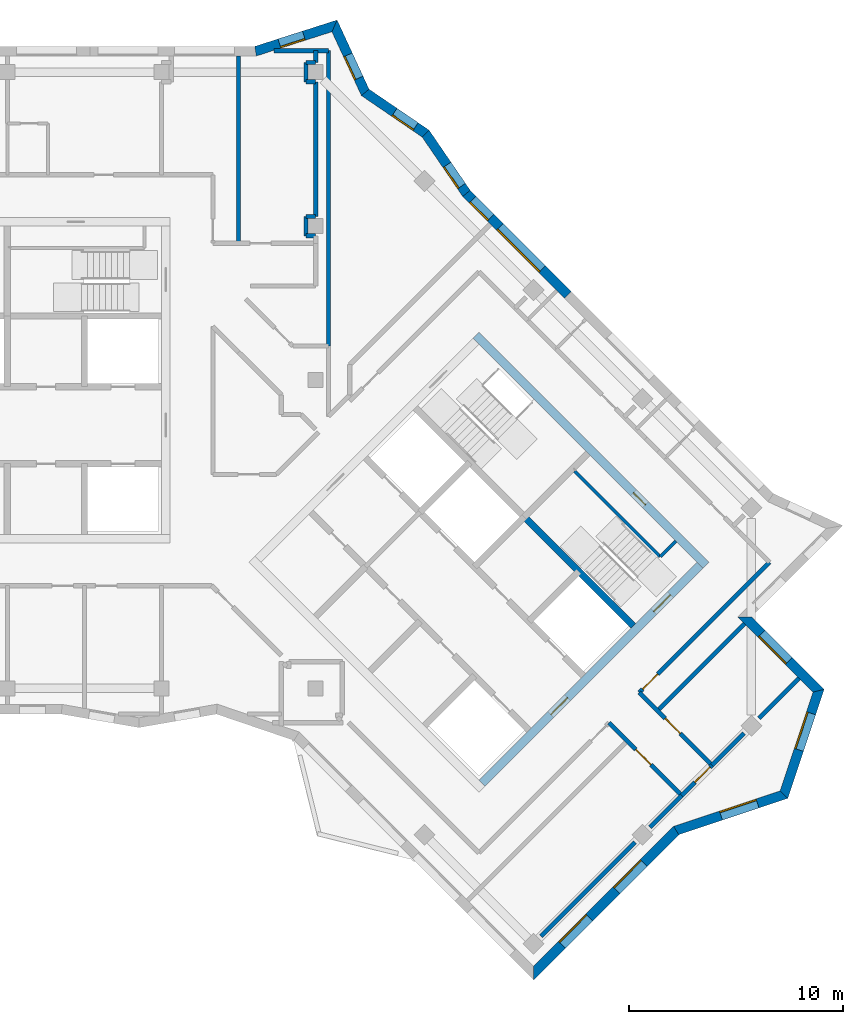
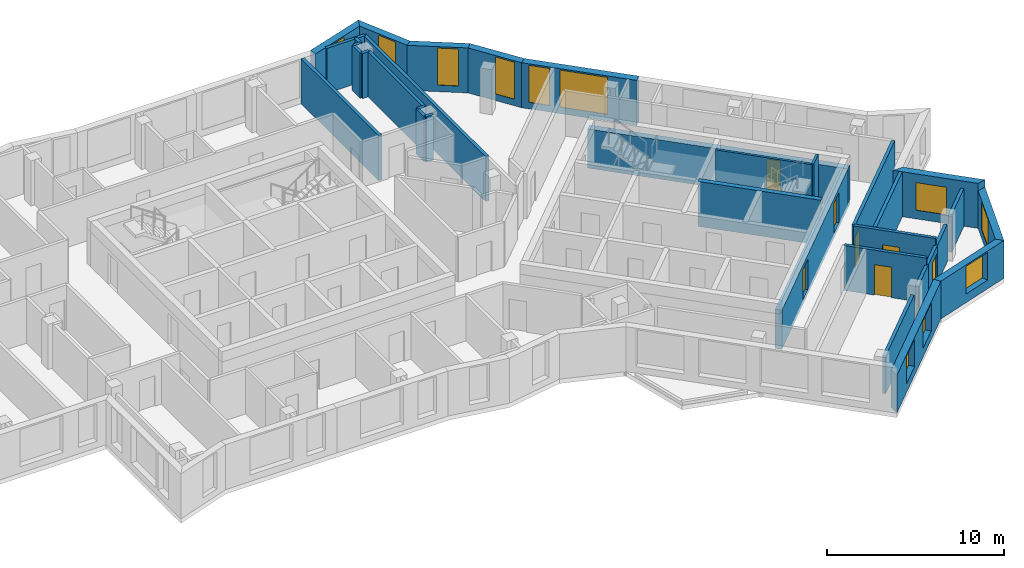
# One storey, part 7 of 11: 34 walls, 11 windows, 7 doors, 18 openings.
"""IFC4 building model written with IfcOpenShell, lengths in metres."""

from ifc_helpers import new_model, si_unit, direction, frame, frame_2d, origin, place, context, subcontext, project, spatial, polyline, rectangle, outline, extrude, material, layer, layer_set, type_object, element, fill, save


model = new_model("IFC4")

# Units and contexts
model_context = context("Model", 3, precision=1e-05, world=origin(), true_north=direction((0.0, 1.0)))
body_context = subcontext(model_context, "Body", "Model", "MODEL_VIEW")
ifc_project = project(units=[si_unit("LENGTHUNIT", "METRE"), si_unit("AREAUNIT", "SQUARE_METRE"), si_unit("VOLUMEUNIT", "CUBIC_METRE"), si_unit("PLANEANGLEUNIT", "RADIAN"), si_unit("MASSUNIT", "GRAM", prefix="KILO")], contexts=[model_context])

# Site, building, storey
site_placement = place(None, origin())
site = spatial("IfcSite", under=ifc_project, at=site_placement, CompositionType="ELEMENT")
building_placement = place(site_placement, origin())
building = spatial("IfcBuilding", under=site, at=building_placement, Name="Windrow Commons", CompositionType="ELEMENT")
storey_placement = place(building_placement, frame((0.0, 0.0, 281.2)))
storey = spatial("IfcBuildingStorey", under=building, at=storey_placement, Name="L77", CompositionType="ELEMENT", Elevation=281.2)

# Wall, openings, windows
ifc_material_1 = material(Name="Brick masonry, red clay brick", Category="masonry")
ifc_layer_1 = layer(ifc_material_1, 0.45)
ifc_layer_set_1 = layer_set([ifc_layer_1], Name="Brick facade wall 450")
wall_type_1 = type_object("IfcWallType", Name="Brick facade wall 450", PredefinedType="SOLIDWALL", material=ifc_layer_set_1)
wall_1_placement = place(storey_placement, frame((89.3823, 29.8918, 0.0), z_axis=(0.0, 0.0, 1.0), x_axis=(0.7071067812, 0.7071067812, 0.0)))
wall_1 = element("IfcWall", 1, at=wall_1_placement, inside=storey, type_object=wall_type_1, Name="Brick facade wall L77 1", PredefinedType="SOLIDWALL", context=body_context, shape_type="SweptSolid", body=[
    extrude(outline(polyline([(-0.225, -0.225), (9.375, -0.225), (9.4812, 0.225), (0.225, 0.225), (-0.225, -0.225)])), origin(), (0.0, 0.0, 1.0), 2.6),
])
opening_1_placement = place(wall_1_placement, frame((1.875, 0.0, 0.6)))
opening_1 = element("IfcOpeningElement", 2, at=opening_1_placement, cuts=wall_1, Name="Opening W1L", PredefinedType="OPENING", context=body_context, shape_type="SweptSolid", body=[
    extrude(rectangle(XDim=1.8, YDim=1.9, at=frame_2d((0.9, 0.95))), frame((0.0, 0.235, 0.0), z_axis=(0.0, -1.0, 0.0), x_axis=(1.0, 0.0, 0.0)), (0.0, 0.0, 1.0), 0.47),
])
opening_2_placement = place(wall_1_placement, frame((5.475, 0.0, 0.6)))
opening_2 = element("IfcOpeningElement", 3, at=opening_2_placement, cuts=wall_1, Name="Opening W1L", PredefinedType="OPENING", context=body_context, shape_type="SweptSolid", body=[
    extrude(rectangle(XDim=1.8, YDim=1.9, at=frame_2d((0.9, 0.95))), frame((0.0, 0.235, 0.0), z_axis=(0.0, -1.0, 0.0), x_axis=(1.0, 0.0, 0.0)), (0.0, 0.0, 1.0), 0.47),
])
ifc_material_2 = material(Name="Clear float glass in anodised aluminium frame", Category="aluminium")
window_type_1 = type_object("IfcWindowType", Name="Window W1L bedroom 1800x1900", PartitioningType="SINGLE_PANEL", PredefinedType="WINDOW", material=ifc_material_2)
window_1_placement = place(opening_1_placement, origin())
window_1 = element("IfcWindow", 4, at=window_1_placement, inside=storey, type_object=window_type_1, Name="Window L77 1.1", OverallHeight=1.9, OverallWidth=1.8, PartitioningType="SINGLE_PANEL", PredefinedType="WINDOW", context=body_context, shape_type="SweptSolid", body=[
    extrude(rectangle(XDim=1.8, YDim=1.9, at=frame_2d((0.9, 0.95))), frame((0.0, 0.205, 0.0), z_axis=(0.0, -1.0, 0.0), x_axis=(1.0, 0.0, 0.0)), (0.0, 0.0, 1.0), 0.06),
])
fill(opening_1, window_1)
window_2_placement = place(opening_2_placement, origin())
window_2 = element("IfcWindow", 5, at=window_2_placement, inside=storey, type_object=window_type_1, Name="Window L77 1.2", OverallHeight=1.9, OverallWidth=1.8, PartitioningType="SINGLE_PANEL", PredefinedType="WINDOW", context=body_context, shape_type="SweptSolid", body=[
    extrude(rectangle(XDim=1.8, YDim=1.9, at=frame_2d((0.9, 0.95))), frame((0.0, 0.205, 0.0), z_axis=(0.0, -1.0, 0.0), x_axis=(1.0, 0.0, 0.0)), (0.0, 0.0, 1.0), 0.06),
])
fill(opening_2, window_2)

# Wall, opening, window
wall_2_placement = place(storey_placement, frame((96.049, 36.5585, 0.0), z_axis=(0.0, 0.0, 1.0), x_axis=(0.9486870665, 0.3162164604, 0.0)))
wall_2 = element("IfcWall", 6, at=wall_2_placement, inside=storey, type_object=wall_type_1, Name="Brick facade wall L77 2", PredefinedType="SOLIDWALL", context=body_context, shape_type="SweptSolid", body=[
    extrude(outline(polyline([(0.0531, -0.225), (5.4197, -0.225), (5.1947, 0.225), (-0.0531, 0.225), (0.0531, -0.225)])), origin(), (0.0, 0.0, 1.0), 2.6),
])
opening_3_placement = place(wall_2_placement, frame((2.204, 0.0, 0.6)))
opening_3 = element("IfcOpeningElement", 7, at=opening_3_placement, cuts=wall_2, Name="Opening W1L", PredefinedType="OPENING", context=body_context, shape_type="SweptSolid", body=[
    extrude(rectangle(XDim=1.8, YDim=1.9, at=frame_2d((0.9, 0.95))), frame((0.0, 0.235, 0.0), z_axis=(0.0, -1.0, 0.0), x_axis=(1.0, 0.0, 0.0)), (0.0, 0.0, 1.0), 0.47),
])
window_3_placement = place(opening_3_placement, origin())
window_3 = element("IfcWindow", 8, at=window_3_placement, inside=storey, type_object=window_type_1, Name="Window L77 2.1", OverallHeight=1.9, OverallWidth=1.8, PartitioningType="SINGLE_PANEL", PredefinedType="WINDOW", context=body_context, shape_type="SweptSolid", body=[
    extrude(rectangle(XDim=1.8, YDim=1.9, at=frame_2d((0.9, 0.95))), frame((0.0, 0.205, 0.0), z_axis=(0.0, -1.0, 0.0), x_axis=(1.0, 0.0, 0.0)), (0.0, 0.0, 1.0), 0.06),
])
fill(opening_3, window_3)

wall_3_placement = place(storey_placement, frame((101.0838, 38.2367, 0.0), z_axis=(0.0, 0.0, 1.0), x_axis=(0.3162453612, 0.9486774328, 0.0)))
wall_3 = element("IfcWall", 9, at=wall_3_placement, inside=storey, type_object=wall_type_1, Name="Brick facade wall L77 3", PredefinedType="SOLIDWALL", context=body_context, shape_type="SweptSolid", body=[
    extrude(outline(polyline([(-0.1125, -0.225), (5.2541, -0.225), (4.976, 0.225), (0.1125, 0.225), (-0.1125, -0.225)])), origin(), (0.0, 0.0, 1.0), 2.6),
])
opening_4_placement = place(wall_3_placement, frame((2.2065, 0.0, 0.6)))
opening_4 = element("IfcOpeningElement", 10, at=opening_4_placement, cuts=wall_3, Name="Opening W1L", PredefinedType="OPENING", context=body_context, shape_type="SweptSolid", body=[
    extrude(rectangle(XDim=1.8, YDim=1.9, at=frame_2d((0.9, 0.95))), frame((0.0, 0.235, 0.0), z_axis=(0.0, -1.0, 0.0), x_axis=(1.0, 0.0, 0.0)), (0.0, 0.0, 1.0), 0.47),
])
window_4_placement = place(opening_4_placement, origin())
window_4 = element("IfcWindow", 11, at=window_4_placement, inside=storey, type_object=window_type_1, Name="Window L77 3.1", OverallHeight=1.9, OverallWidth=1.8, PartitioningType="SINGLE_PANEL", PredefinedType="WINDOW", context=body_context, shape_type="SweptSolid", body=[
    extrude(rectangle(XDim=1.8, YDim=1.9, at=frame_2d((0.9, 0.95))), frame((0.0, 0.205, 0.0), z_axis=(0.0, -1.0, 0.0), x_axis=(1.0, 0.0, 0.0)), (0.0, 0.0, 1.0), 0.06),
])
fill(opening_4, window_4)

wall_4_placement = place(storey_placement, frame((102.7014, 43.0892, 0.0), z_axis=(0.0, 0.0, 1.0), x_axis=(-0.7070965479, 0.7071170144, 0.0)))
wall_4 = element("IfcWall", 12, at=wall_4_placement, inside=storey, type_object=wall_type_1, Name="Brick facade wall L77 4", PredefinedType="SOLIDWALL", context=body_context, shape_type="SweptSolid", body=[
    extrude(outline(polyline([(-0.1391, -0.225), (4.661, -0.225), (5.111, 0.225), (0.1391, 0.225), (-0.1391, -0.225)])), origin(), (0.0, 0.0, 1.0), 3.1),
])
opening_5_placement = place(wall_4_placement, frame((1.9735, 0.0, 0.6)))
opening_5 = element("IfcOpeningElement", 13, at=opening_5_placement, cuts=wall_4, Name="Opening W1L", PredefinedType="OPENING", context=body_context, shape_type="SweptSolid", body=[
    extrude(rectangle(XDim=1.8, YDim=1.9, at=frame_2d((0.9, 0.95))), frame((0.0, 0.235, 0.0), z_axis=(0.0, -1.0, 0.0), x_axis=(1.0, 0.0, 0.0)), (0.0, 0.0, 1.0), 0.47),
])
window_5_placement = place(opening_5_placement, origin())
window_5 = element("IfcWindow", 14, at=window_5_placement, inside=storey, type_object=window_type_1, Name="Window L77 4.1", OverallHeight=1.9, OverallWidth=1.8, PartitioningType="SINGLE_PANEL", PredefinedType="WINDOW", context=body_context, shape_type="SweptSolid", body=[
    extrude(rectangle(XDim=1.8, YDim=1.9, at=frame_2d((0.9, 0.95))), frame((0.0, 0.205, 0.0), z_axis=(0.0, -1.0, 0.0), x_axis=(1.0, 0.0, 0.0)), (0.0, 0.0, 1.0), 0.06),
])
fill(opening_5, window_5)

# Wall, openings, windows
wall_5_placement = place(storey_placement, frame((90.9872, 61.5917, 0.0), z_axis=(0.0, 0.0, 1.0), x_axis=(-0.7071067812, 0.7071067812, 0.0)))
wall_5 = element("IfcWall", 15, at=wall_5_placement, inside=storey, type_object=wall_type_1, Name="Brick facade wall L77 9", PredefinedType="SOLIDWALL", context=body_context, shape_type="SweptSolid", body=[
    extrude(outline(polyline([(0.0, -0.225), (6.6821, -0.225), (6.7242, 0.225), (0.0, 0.225), (0.0, -0.225)])), origin(), (0.0, 0.0, 1.0), 3.1),
])
opening_6_placement = place(wall_5_placement, frame((1.6946, 0.0, 0.45)))
opening_6 = element("IfcOpeningElement", 16, at=opening_6_placement, cuts=wall_5, Name="Opening W1V", PredefinedType="OPENING", context=body_context, shape_type="SweptSolid", body=[
    extrude(rectangle(XDim=2.8, YDim=2.55, at=frame_2d((1.4, 1.275))), frame((0.0, 0.235, 0.0), z_axis=(0.0, -1.0, 0.0), x_axis=(1.0, 0.0, 0.0)), (0.0, 0.0, 1.0), 0.47),
])
opening_7_placement = place(wall_5_placement, frame((5.0989, 0.0, 0.45)))
opening_7 = element("IfcOpeningElement", 17, at=opening_7_placement, cuts=wall_5, Name="Opening W7F", PredefinedType="OPENING", context=body_context, shape_type="SweptSolid", body=[
    extrude(rectangle(XDim=1.2, YDim=2.55, at=frame_2d((0.6, 1.275))), frame((0.0, 0.235, 0.0), z_axis=(0.0, -1.0, 0.0), x_axis=(1.0, 0.0, 0.0)), (0.0, 0.0, 1.0), 0.47),
])
ifc_material_3 = material(Name="Clear float glass in anodised aluminium frame", Category="aluminium")
window_type_2 = type_object("IfcWindowType", Name="Window W1V bedroom 2800x2550", PartitioningType="SINGLE_PANEL", PredefinedType="WINDOW", material=ifc_material_3)
window_6_placement = place(opening_6_placement, origin())
window_6 = element("IfcWindow", 18, at=window_6_placement, inside=storey, type_object=window_type_2, Name="Window L77 9.1", OverallHeight=2.55, OverallWidth=2.8, PartitioningType="SINGLE_PANEL", PredefinedType="WINDOW", context=body_context, shape_type="SweptSolid", body=[
    extrude(rectangle(XDim=2.8, YDim=2.55, at=frame_2d((1.4, 1.275))), frame((0.0, 0.205, 0.0), z_axis=(0.0, -1.0, 0.0), x_axis=(1.0, 0.0, 0.0)), (0.0, 0.0, 1.0), 0.06),
])
fill(opening_6, window_6)
ifc_material_4 = material(Name="Clear float glass in anodised aluminium frame", Category="aluminium")
window_type_3 = type_object("IfcWindowType", Name="Window W7 notch 1200x2550", PartitioningType="SINGLE_PANEL", PredefinedType="WINDOW", material=ifc_material_4)
window_7_placement = place(opening_7_placement, origin())
window_7 = element("IfcWindow", 19, at=window_7_placement, inside=storey, type_object=window_type_3, Name="Window L77 9.2", OverallHeight=2.55, OverallWidth=1.2, PartitioningType="SINGLE_PANEL", PredefinedType="WINDOW", context=body_context, shape_type="SweptSolid", body=[
    extrude(rectangle(XDim=1.2, YDim=2.55, at=frame_2d((0.6, 1.275))), frame((0.0, 0.205, 0.0), z_axis=(0.0, -1.0, 0.0), x_axis=(1.0, 0.0, 0.0)), (0.0, 0.0, 1.0), 0.06),
])
fill(opening_7, window_7)

# Wall, opening, window
wall_6_placement = place(storey_placement, frame((86.2474, 66.3315, 0.0), z_axis=(0.0, 0.0, 1.0), x_axis=(-0.5638464417, 0.8258796463, 0.0)))
wall_6 = element("IfcWall", 20, at=wall_6_placement, inside=storey, type_object=wall_type_1, Name="Brick facade wall L77 10", PredefinedType="SOLIDWALL", context=body_context, shape_type="SweptSolid", body=[
    extrude(outline(polyline([(0.021, -0.225), (3.421, -0.225), (3.3361, 0.225), (-0.021, 0.225), (0.021, -0.225)])), origin(), (0.0, 0.0, 1.0), 3.1),
])
opening_8_placement = place(wall_6_placement, frame((0.4115, 0.0, 0.45)))
opening_8 = element("IfcOpeningElement", 21, at=opening_8_placement, cuts=wall_6, Name="Opening W7F", PredefinedType="OPENING", context=body_context, shape_type="SweptSolid", body=[
    extrude(rectangle(XDim=1.2, YDim=2.55, at=frame_2d((0.6, 1.275))), frame((0.0, 0.235, 0.0), z_axis=(0.0, -1.0, 0.0), x_axis=(1.0, 0.0, 0.0)), (0.0, 0.0, 1.0), 0.47),
])
window_8_placement = place(opening_8_placement, origin())
window_8 = element("IfcWindow", 22, at=window_8_placement, inside=storey, type_object=window_type_3, Name="Window L77 10.1", OverallHeight=2.55, OverallWidth=1.2, PartitioningType="SINGLE_PANEL", PredefinedType="WINDOW", context=body_context, shape_type="SweptSolid", body=[
    extrude(rectangle(XDim=1.2, YDim=2.55, at=frame_2d((0.6, 1.275))), frame((0.0, 0.205, 0.0), z_axis=(0.0, -1.0, 0.0), x_axis=(1.0, 0.0, 0.0)), (0.0, 0.0, 1.0), 0.06),
])
fill(opening_8, window_8)

wall_7_placement = place(storey_placement, frame((84.3424, 69.1218, 0.0), z_axis=(0.0, 0.0, 1.0), x_axis=(-0.8258813563, 0.563843937, 0.0)))
wall_7 = element("IfcWall", 23, at=wall_7_placement, inside=storey, type_object=wall_type_1, Name="Brick facade wall L77 11", PredefinedType="SOLIDWALL", context=body_context, shape_type="SweptSolid", body=[
    extrude(outline(polyline([(-0.0424, -0.225), (3.3575, -0.225), (3.4819, 0.225), (0.0424, 0.225), (-0.0424, -0.225)])), origin(), (0.0, 0.0, 1.0), 3.1),
])
opening_9_placement = place(wall_7_placement, frame((0.5752, 0.0, 0.45)))
opening_9 = element("IfcOpeningElement", 24, at=opening_9_placement, cuts=wall_7, Name="Opening W7F", PredefinedType="OPENING", context=body_context, shape_type="SweptSolid", body=[
    extrude(rectangle(XDim=1.2, YDim=2.55, at=frame_2d((0.6, 1.275))), frame((0.0, 0.235, 0.0), z_axis=(0.0, -1.0, 0.0), x_axis=(1.0, 0.0, 0.0)), (0.0, 0.0, 1.0), 0.47),
])
window_9_placement = place(opening_9_placement, origin())
window_9 = element("IfcWindow", 25, at=window_9_placement, inside=storey, type_object=window_type_3, Name="Window L77 11.1", OverallHeight=2.55, OverallWidth=1.2, PartitioningType="SINGLE_PANEL", PredefinedType="WINDOW", context=body_context, shape_type="SweptSolid", body=[
    extrude(rectangle(XDim=1.2, YDim=2.55, at=frame_2d((0.6, 1.275))), frame((0.0, 0.205, 0.0), z_axis=(0.0, -1.0, 0.0), x_axis=(1.0, 0.0, 0.0)), (0.0, 0.0, 1.0), 0.06),
])
fill(opening_9, window_9)

wall_8_placement = place(storey_placement, frame((81.5181, 71.05, 0.0), z_axis=(0.0, 0.0, 1.0), x_axis=(-0.4192600766, 0.907866173, 0.0)))
wall_8 = element("IfcWall", 26, at=wall_8_placement, inside=storey, type_object=wall_type_1, Name="Brick facade wall L77 12", PredefinedType="SOLIDWALL", context=body_context, shape_type="SweptSolid", body=[
    extrude(outline(polyline([(0.0622, -0.225), (3.6225, -0.225), (3.2244, 0.225), (-0.0622, 0.225), (0.0622, -0.225)])), origin(), (0.0, 0.0, 1.0), 3.1),
])
opening_10_placement = place(wall_8_placement, frame((0.7313, 0.0, 0.45)))
opening_10 = element("IfcOpeningElement", 27, at=opening_10_placement, cuts=wall_8, Name="Opening W7F", PredefinedType="OPENING", context=body_context, shape_type="SweptSolid", body=[
    extrude(rectangle(XDim=1.2, YDim=2.55, at=frame_2d((0.6, 1.275))), frame((0.0, 0.235, 0.0), z_axis=(0.0, -1.0, 0.0), x_axis=(1.0, 0.0, 0.0)), (0.0, 0.0, 1.0), 0.47),
])
window_10_placement = place(opening_10_placement, origin())
window_10 = element("IfcWindow", 28, at=window_10_placement, inside=storey, type_object=window_type_3, Name="Window L77 12.1", OverallHeight=2.55, OverallWidth=1.2, PartitioningType="SINGLE_PANEL", PredefinedType="WINDOW", context=body_context, shape_type="SweptSolid", body=[
    extrude(rectangle(XDim=1.2, YDim=2.55, at=frame_2d((0.6, 1.275))), frame((0.0, 0.205, 0.0), z_axis=(0.0, -1.0, 0.0), x_axis=(1.0, 0.0, 0.0)), (0.0, 0.0, 1.0), 0.06),
])
fill(opening_10, window_10)

wall_9_placement = place(storey_placement, frame((80.0828, 74.158, 0.0), z_axis=(0.0, 0.0, 1.0), x_axis=(-0.9522471777, -0.3053282047, 0.0)))
wall_9 = element("IfcWall", 29, at=wall_9_placement, inside=storey, type_object=wall_type_1, Name="Brick facade wall L77 13", PredefinedType="SOLIDWALL", context=body_context, shape_type="SweptSolid", body=[
    extrude(outline(polyline([(-0.199, -0.225), (3.8393, -0.225), (3.9097, 0.225), (0.199, 0.225), (-0.199, -0.225)])), origin(), (0.0, 0.0, 1.0), 3.1),
])
opening_11_placement = place(wall_9_placement, frame((1.5008, 0.0, 0.45)))
opening_11 = element("IfcOpeningElement", 30, at=opening_11_placement, cuts=wall_9, Name="Opening W7F", PredefinedType="OPENING", context=body_context, shape_type="SweptSolid", body=[
    extrude(rectangle(XDim=1.2, YDim=2.55, at=frame_2d((0.6, 1.275))), frame((0.0, 0.235, 0.0), z_axis=(0.0, -1.0, 0.0), x_axis=(1.0, 0.0, 0.0)), (0.0, 0.0, 1.0), 0.47),
])
window_11_placement = place(opening_11_placement, origin())
window_11 = element("IfcWindow", 31, at=window_11_placement, inside=storey, type_object=window_type_3, Name="Window L77 13.1", OverallHeight=2.55, OverallWidth=1.2, PartitioningType="SINGLE_PANEL", PredefinedType="WINDOW", context=body_context, shape_type="SweptSolid", body=[
    extrude(rectangle(XDim=1.2, YDim=2.55, at=frame_2d((0.6, 1.275))), frame((0.0, 0.205, 0.0), z_axis=(0.0, -1.0, 0.0), x_axis=(1.0, 0.0, 0.0)), (0.0, 0.0, 1.0), 0.06),
])
fill(opening_11, window_11)

# Wall, opening, door
ifc_material_5 = material(Name="Blockwork partition", Category="masonry")
ifc_layer_2 = layer(ifc_material_5, 0.2)
ifc_layer_set_2 = layer_set([ifc_layer_2], Name="IW-CORRIDOR-200")
wall_type_2 = type_object("IfcWallType", Name="IW-CORRIDOR-200", PredefinedType="PARTITIONING", material=ifc_layer_set_2)
wall_10_placement = place(storey_placement, frame((94.3309, 43.0091, 0.0), z_axis=(0.0, 0.0, 1.0), x_axis=(0.7071067812, 0.7071067812, 0.0)))
wall_10 = element("IfcWall", 32, at=wall_10_placement, inside=storey, type_object=wall_type_2, Name="W-L77-W013", PredefinedType="PARTITIONING", context=body_context, shape_type="SweptSolid", body=[
    extrude(rectangle(XDim=8.6012, YDim=0.2, at=frame_2d((4.3006, 0.0))), origin(), (0.0, 0.0, 1.0), 3.1),
])
opening_12_placement = place(wall_10_placement, frame((0.2125, 0.0, 0.0)))
opening_12 = element("IfcOpeningElement", 33, at=opening_12_placement, cuts=wall_10, Name="Opening D310F", PredefinedType="OPENING", context=body_context, shape_type="SweptSolid", body=[
    extrude(rectangle(XDim=1.0, YDim=2.1, at=frame_2d((0.5, 1.05))), frame((0.0, 0.11, 0.0), z_axis=(0.0, -1.0, 0.0), x_axis=(1.0, 0.0, 0.0)), (0.0, 0.0, 1.0), 0.22),
])
ifc_material_6 = material(Name="Timber door leaf", Category="wood")
door_type_1 = type_object("IfcDoorType", Name="DT-AMENITY-1000", OperationType="SINGLE_SWING_LEFT", PredefinedType="DOOR", material=ifc_material_6)
door_1_placement = place(opening_12_placement, origin())
door_1 = element("IfcDoor", 34, at=door_1_placement, inside=storey, type_object=door_type_1, Name="D-L77-D035", OperationType="SINGLE_SWING_LEFT", OverallHeight=2.1, OverallWidth=1.0, PredefinedType="DOOR", context=body_context, shape_type="SweptSolid", body=[
    extrude(rectangle(XDim=1.0, YDim=2.1, at=frame_2d((0.5, 1.05))), frame((0.0, 0.025, 0.0), z_axis=(0.0, -1.0, 0.0), x_axis=(1.0, 0.0, 0.0)), (0.0, 0.0, 1.0), 0.05),
])
fill(opening_12, door_1)

wall_11_placement = place(storey_placement, frame((92.9149, 41.5909, 0.0), z_axis=(0.0, 0.0, 1.0), x_axis=(0.7071067812, -0.7071067812, 0.0)))
wall_11 = element("IfcWall", 35, at=wall_11_placement, inside=storey, type_object=wall_type_2, Name="W-L77-W032", PredefinedType="PARTITIONING", context=body_context, shape_type="SweptSolid", body=[
    extrude(rectangle(XDim=4.7998, YDim=0.2, at=frame_2d((2.3999, 0.0))), origin(), (0.0, 0.0, 1.0), 3.1),
])
opening_13_placement = place(wall_11_placement, frame((1.7671, 0.0, 0.0)))
opening_13 = element("IfcOpeningElement", 36, at=opening_13_placement, cuts=wall_11, Name="Opening D310F", PredefinedType="OPENING", context=body_context, shape_type="SweptSolid", body=[
    extrude(rectangle(XDim=1.0, YDim=2.1, at=frame_2d((0.5, 1.05))), frame((0.0, 0.11, 0.0), z_axis=(0.0, -1.0, 0.0), x_axis=(1.0, 0.0, 0.0)), (0.0, 0.0, 1.0), 0.22),
])
door_2_placement = place(opening_13_placement, origin())
door_2 = element("IfcDoor", 37, at=door_2_placement, inside=storey, type_object=door_type_1, Name="D-L77-D038", OperationType="SINGLE_SWING_LEFT", OverallHeight=2.1, OverallWidth=1.0, PredefinedType="DOOR", context=body_context, shape_type="SweptSolid", body=[
    extrude(rectangle(XDim=1.0, YDim=2.1, at=frame_2d((0.5, 1.05))), frame((0.0, 0.025, 0.0), z_axis=(0.0, -1.0, 0.0), x_axis=(1.0, 0.0, 0.0)), (0.0, 0.0, 1.0), 0.05),
])
fill(opening_13, door_2)

wall_12_placement = place(storey_placement, frame((94.3291, 43.0051, 0.0), z_axis=(0.0, 0.0, 1.0), x_axis=(0.7071067812, -0.7071067812, 0.0)))
wall_12 = element("IfcWall", 38, at=wall_12_placement, inside=storey, type_object=wall_type_2, Name="W-L77-W033", PredefinedType="PARTITIONING", context=body_context, shape_type="SweptSolid", body=[
    extrude(rectangle(XDim=4.7998, YDim=0.2, at=frame_2d((2.3999, 0.0))), origin(), (0.0, 0.0, 1.0), 3.1),
])
opening_14_placement = place(wall_12_placement, frame((1.7071, 0.0, 0.0)))
opening_14 = element("IfcOpeningElement", 39, at=opening_14_placement, cuts=wall_12, Name="Opening D310F", PredefinedType="OPENING", context=body_context, shape_type="SweptSolid", body=[
    extrude(rectangle(XDim=1.0, YDim=2.1, at=frame_2d((0.5, 1.05))), frame((0.0, 0.11, 0.0), z_axis=(0.0, -1.0, 0.0), x_axis=(1.0, 0.0, 0.0)), (0.0, 0.0, 1.0), 0.22),
])
door_3_placement = place(opening_14_placement, origin())
door_3 = element("IfcDoor", 40, at=door_3_placement, inside=storey, type_object=door_type_1, Name="D-L77-D037", OperationType="SINGLE_SWING_RIGHT", OverallHeight=2.1, OverallWidth=1.0, PredefinedType="DOOR", context=body_context, shape_type="SweptSolid", body=[
    extrude(rectangle(XDim=1.0, YDim=2.1, at=frame_2d((0.5, 1.05))), frame((0.0, 0.025, 0.0), z_axis=(0.0, -1.0, 0.0), x_axis=(1.0, 0.0, 0.0)), (0.0, 0.0, 1.0), 0.05),
])
fill(opening_14, door_3)

wall_13_placement = place(storey_placement, frame((96.311, 38.201, 0.0), z_axis=(0.0, 0.0, 1.0), x_axis=(0.7071067812, 0.7071067812, 0.0)))
wall_13 = element("IfcWall", 41, at=wall_13_placement, inside=storey, type_object=wall_type_2, Name="W-L77-W089", PredefinedType="PARTITIONING", context=body_context, shape_type="SweptSolid", body=[
    extrude(rectangle(XDim=1.9997, YDim=0.2, at=frame_2d((0.9999, 0.0))), origin(), (0.0, 0.0, 1.0), 2.6),
])
opening_15_placement = place(wall_13_placement, frame((0.8664, 0.0, 0.0)))
opening_15 = element("IfcOpeningElement", 42, at=opening_15_placement, cuts=wall_13, Name="Opening D310F", PredefinedType="OPENING", context=body_context, shape_type="SweptSolid", body=[
    extrude(rectangle(XDim=1.0, YDim=2.1, at=frame_2d((0.5, 1.05))), frame((0.0, 0.11, 0.0), z_axis=(0.0, -1.0, 0.0), x_axis=(1.0, 0.0, 0.0)), (0.0, 0.0, 1.0), 0.22),
])
door_4_placement = place(opening_15_placement, origin())
door_4 = element("IfcDoor", 43, at=door_4_placement, inside=storey, type_object=door_type_1, Name="D-L77-D039", OperationType="SINGLE_SWING_RIGHT", OverallHeight=2.1, OverallWidth=1.0, PredefinedType="DOOR", context=body_context, shape_type="SweptSolid", body=[
    extrude(rectangle(XDim=1.0, YDim=2.1, at=frame_2d((0.5, 1.05))), frame((0.0, 0.025, 0.0), z_axis=(0.0, -1.0, 0.0), x_axis=(1.0, 0.0, 0.0)), (0.0, 0.0, 1.0), 0.05),
])
fill(opening_15, door_4)

# Walls
ifc_material_7 = material(Name="Blockwork partition", Category="masonry")
ifc_layer_3 = layer(ifc_material_7, 0.2)
ifc_layer_set_3 = layer_set([ifc_layer_3], Name="IW-PARTY-200")
wall_type_3 = type_object("IfcWallType", Name="IW-PARTY-200", PredefinedType="PARTITIONING", material=ifc_layer_set_3)
wall_14_placement = place(storey_placement, frame((79.8, 59.2, 0.0), z_axis=(0.0, 0.0, 1.0), x_axis=(0.0, 1.0, 0.0)))
element("IfcWall", 44, at=wall_14_placement, inside=storey, type_object=wall_type_3, Name="W-L77-W003", PredefinedType="PARTITIONING", context=body_context, shape_type="SweptSolid", body=[
    extrude(rectangle(XDim=13.8, YDim=0.2, at=frame_2d((6.9, 0.0))), origin(), (0.0, 0.0, 1.0), 3.1),
])
wall_15_placement = place(storey_placement, frame((75.6, 64.0, 0.0), z_axis=(0.0, 0.0, 1.0), x_axis=(0.0, 1.0, 0.0)))
element("IfcWall", 45, at=wall_15_placement, inside=storey, type_object=wall_type_3, Name="W-L77-W010", PredefinedType="PARTITIONING", context=body_context, shape_type="SweptSolid", body=[
    extrude(rectangle(XDim=8.75, YDim=0.2, at=frame_2d((4.375, 0.0))), origin(), (0.0, 0.0, 1.0), 3.1),
])
wall_16_placement = place(storey_placement, frame((79.2, 65.254, 0.0), z_axis=(0.0, 0.0, 1.0), x_axis=(0.0, 1.0, 0.0)))
element("IfcWall", 46, at=wall_16_placement, inside=storey, type_object=wall_type_3, Name="W-L77-W023", PredefinedType="PARTITIONING", context=body_context, shape_type="SweptSolid", body=[
    extrude(rectangle(XDim=6.292, YDim=0.2, at=frame_2d((3.146, 0.0))), origin(), (0.0, 0.0, 1.0), 3.1),
])
wall_17_placement = place(storey_placement, frame((89.731, 31.621, 0.0), z_axis=(0.0, 0.0, 1.0), x_axis=(0.7071067812, 0.7071067812, 0.0)))
element("IfcWall", 47, at=wall_17_placement, inside=storey, type_object=wall_type_3, Name="W-L77-W024", PredefinedType="PARTITIONING", context=body_context, shape_type="SweptSolid", body=[
    extrude(rectangle(XDim=6.2112, YDim=0.2, at=frame_2d((3.1056, 0.0))), origin(), (0.0, 0.0, 1.0), 2.6),
])
wall_18_placement = place(storey_placement, frame((95.1794, 42.1606, 0.0), z_axis=(0.0, 0.0, 1.0), x_axis=(0.707115476, 0.7070980863, 0.0)))
element("IfcWall", 48, at=wall_18_placement, inside=storey, type_object=wall_type_3, Name="W-L77-W026", PredefinedType="PARTITIONING", context=body_context, shape_type="SweptSolid", body=[
    extrude(rectangle(XDim=5.7505, YDim=0.2, at=frame_2d((2.8752, 0.0))), origin(), (0.0, 0.0, 1.0), 3.1),
])
wall_19_placement = place(storey_placement, frame((99.913, 41.803, 0.0), z_axis=(0.0, 0.0, 1.0), x_axis=(0.7071067812, 0.7071067812, 0.0)))
element("IfcWall", 49, at=wall_19_placement, inside=storey, type_object=wall_type_3, Name="W-L77-W058", PredefinedType="PARTITIONING", context=body_context, shape_type="SweptSolid", body=[
    extrude(rectangle(XDim=2.6562, YDim=0.2, at=frame_2d((1.3281, 0.0))), origin(), (0.0, 0.0, 1.0), 2.6),
])
wall_20_placement = place(storey_placement, frame((77.2582, 73.0, 0.0), z_axis=(0.0, 0.0, 1.0), x_axis=(1.0, 0.0, 0.0)))
element("IfcWall", 50, at=wall_20_placement, inside=storey, type_object=wall_type_3, Name="W-L77-W061", PredefinedType="PARTITIONING", context=body_context, shape_type="SweptSolid", body=[
    extrude(rectangle(XDim=2.5418, YDim=0.2, at=frame_2d((1.2709, 0.0))), origin(), (0.0, 0.0, 1.0), 3.1),
])
wall_21_placement = place(storey_placement, frame((97.725, 39.615, 0.0), z_axis=(0.0, 0.0, 1.0), x_axis=(0.7071067812, 0.7071067812, 0.0)))
element("IfcWall", 51, at=wall_21_placement, inside=storey, type_object=wall_type_3, Name="W-L77-W080", PredefinedType="PARTITIONING", context=body_context, shape_type="SweptSolid", body=[
    extrude(rectangle(XDim=2.1072, YDim=0.2, at=frame_2d((1.0536, 0.0))), origin(), (0.0, 0.0, 1.0), 2.6),
])
wall_22_placement = place(storey_placement, frame((94.823, 36.713, 0.0), z_axis=(0.0, 0.0, 1.0), x_axis=(0.7071067812, 0.7071067812, 0.0)))
element("IfcWall", 52, at=wall_22_placement, inside=storey, type_object=wall_type_3, Name="W-L77-W081", PredefinedType="PARTITIONING", context=body_context, shape_type="SweptSolid", body=[
    extrude(rectangle(XDim=2.1043, YDim=0.2, at=frame_2d((1.0521, 0.0))), origin(), (0.0, 0.0, 1.0), 2.6),
])
for number, where, z_axis, x_axis, name in (
    (53, (78.75, 64.346, 0.0), (0.0, 0.0, 1.0), (0.0, 1.0, 0.0), "W-L77-W110"),
    (54, (78.75, 71.546, 0.0), (0.0, 0.0, 1.0), (0.0, 1.0, 0.0), "W-L77-W112"),
):
    element("IfcWall", number, at=place(storey_placement, frame(where, z_axis=z_axis, x_axis=x_axis)), inside=storey, type_object=wall_type_3, Name=name, PredefinedType="PARTITIONING", context=body_context, shape_type="SweptSolid", body=[
        extrude(rectangle(XDim=0.908, YDim=0.2, at=frame_2d((0.454, 0.0))), origin(), (0.0, 0.0, 1.0), 3.1),
    ])
wall_23_placement = place(storey_placement, frame((79.2, 72.454, 0.0), z_axis=(0.0, 0.0, 1.0), x_axis=(0.0, 1.0, 0.0)))
element("IfcWall", 55, at=wall_23_placement, inside=storey, type_object=wall_type_3, Name="W-L77-W126", PredefinedType="PARTITIONING", context=body_context, shape_type="SweptSolid", body=[
    extrude(rectangle(XDim=0.546, YDim=0.2, at=frame_2d((0.273, 0.0))), origin(), (0.0, 0.0, 1.0), 3.1),
])
for number, where, z_axis, x_axis, name in (
    (56, (78.75, 71.55, 0.0), (0.0, 0.0, 1.0), (1.0, 0.0, 0.0), "W-L77-W135"),
    (57, (78.75, 72.45, 0.0), (0.0, 0.0, 1.0), (1.0, 0.0, 0.0), "W-L77-W137"),
    (58, (78.75, 65.25, 0.0), (0.0, 0.0, 1.0), (1.0, 0.0, 0.0), "W-L77-W138"),
    (59, (78.75, 64.35, 0.0), (0.0, 0.0, 1.0), (1.0, 0.0, 0.0), "W-L77-W139"),
):
    element("IfcWall", number, at=place(storey_placement, frame(where, z_axis=z_axis, x_axis=x_axis)), inside=storey, type_object=wall_type_3, Name=name, PredefinedType="PARTITIONING", context=body_context, shape_type="SweptSolid", body=[
        extrude(rectangle(XDim=0.45, YDim=0.2, at=frame_2d((0.225, 0.0))), origin(), (0.0, 0.0, 1.0), 3.1),
    ])

# Wall, opening, door
ifc_material_8 = material(Name="Concrete C40/50", Category="concrete")
ifc_layer_4 = layer(ifc_material_8, 0.4)
ifc_layer_set_4 = layer_set([ifc_layer_4], Name="RC CORE WALL 400 C40/50")
wall_type_4 = type_object("IfcWallType", Name="RC CORE WALL 400 C40/50", PredefinedType="SHEAR", material=ifc_layer_set_4)
wall_24_placement = place(storey_placement, frame((86.6953, 59.6963, -0.3), z_axis=(0.0, 0.0, 1.0), x_axis=(0.7071100706, -0.7071034917, 0.0)))
wall_24 = element("IfcWall", 60, at=wall_24_placement, inside=storey, type_object=wall_type_4, Name="Core B wall outer-N", PredefinedType="SHEAR", context=body_context, shape_type="SweptSolid", body=[
    extrude(rectangle(XDim=15.2, YDim=0.4, at=frame_2d((7.6, 0.0))), origin(), (0.0, 0.0, 1.0), 2.7),
])
opening_16_placement = place(wall_24_placement, frame((10.4, 0.0, 0.3)))
opening_16 = element("IfcOpeningElement", 61, at=opening_16_placement, cuts=wall_24, Name="Opening D9", PredefinedType="OPENING", context=body_context, shape_type="SweptSolid", body=[
    extrude(rectangle(XDim=0.8, YDim=2.1, at=frame_2d((0.4, 1.05))), frame((0.0, 0.21, 0.0), z_axis=(0.0, -1.0, 0.0), x_axis=(1.0, 0.0, 0.0)), (0.0, 0.0, 1.0), 0.42),
])
ifc_material_9 = material(Name="Steel fire door leaf", Category="steel")
door_type_2 = type_object("IfcDoorType", Name="Riser access door 800", OperationType="SINGLE_SWING_LEFT", PredefinedType="DOOR", material=ifc_material_9)
door_5_placement = place(opening_16_placement, origin())
door_5 = element("IfcDoor", 62, at=door_5_placement, inside=storey, type_object=door_type_2, Name="Riser access door", OperationType="SINGLE_SWING_RIGHT", OverallHeight=2.1, OverallWidth=0.8, PredefinedType="DOOR", context=body_context, shape_type="SweptSolid", body=[
    extrude(rectangle(XDim=0.8, YDim=2.1, at=frame_2d((0.4, 1.05))), frame((0.0, 0.025, 0.0), z_axis=(0.0, -1.0, 0.0), x_axis=(1.0, 0.0, 0.0)), (0.0, 0.0, 1.0), 0.05),
])
fill(opening_16, door_5)

# Wall, openings, doors
wall_25_placement = place(storey_placement, frame((86.9782, 38.766, -0.3), z_axis=(0.0, 0.0, 1.0), x_axis=(0.7071067812, 0.7071067812, 0.0)))
wall_25 = element("IfcWall", 63, at=wall_25_placement, inside=storey, type_object=wall_type_4, Name="Core B wall outer-E", PredefinedType="SHEAR", context=body_context, shape_type="SweptSolid", body=[
    extrude(rectangle(XDim=14.3999, YDim=0.4, at=frame_2d((7.2, 0.0))), origin(), (0.0, 0.0, 1.0), 2.7),
])
opening_17_placement = place(wall_25_placement, frame((4.55, 0.0, 0.3)))
opening_17 = element("IfcOpeningElement", 64, at=opening_17_placement, cuts=wall_25, Name="Opening D6", PredefinedType="OPENING", context=body_context, shape_type="SweptSolid", body=[
    extrude(rectangle(XDim=1.1, YDim=2.1, at=frame_2d((0.55, 1.05))), frame((0.0, 0.21, 0.0), z_axis=(0.0, -1.0, 0.0), x_axis=(1.0, 0.0, 0.0)), (0.0, 0.0, 1.0), 0.42),
])
opening_18_placement = place(wall_25_placement, frame((11.35, 0.0, 0.3)))
opening_18 = element("IfcOpeningElement", 65, at=opening_18_placement, cuts=wall_25, Name="Opening D7", PredefinedType="OPENING", context=body_context, shape_type="SweptSolid", body=[
    extrude(rectangle(XDim=1.1, YDim=2.1, at=frame_2d((0.55, 1.05))), frame((0.0, 0.21, 0.0), z_axis=(0.0, -1.0, 0.0), x_axis=(1.0, 0.0, 0.0)), (0.0, 0.0, 1.0), 0.42),
])
ifc_material_10 = material(Name="Steel fire door leaf", Category="steel")
door_type_3 = type_object("IfcDoorType", Name="Core lobby door 1100", OperationType="SINGLE_SWING_LEFT", PredefinedType="DOOR", material=ifc_material_10)
door_6_placement = place(opening_17_placement, origin())
door_6 = element("IfcDoor", 66, at=door_6_placement, inside=storey, type_object=door_type_3, Name="Lift lobby door", OperationType="DOUBLE_DOOR_SINGLE_SWING", OverallHeight=2.1, OverallWidth=1.1, PredefinedType="DOOR", context=body_context, shape_type="SweptSolid", body=[
    extrude(rectangle(XDim=1.1, YDim=2.1, at=frame_2d((0.55, 1.05))), frame((0.0, 0.025, 0.0), z_axis=(0.0, -1.0, 0.0), x_axis=(1.0, 0.0, 0.0)), (0.0, 0.0, 1.0), 0.05),
])
fill(opening_17, door_6)
ifc_material_11 = material(Name="Steel fire door leaf", Category="steel")
door_type_4 = type_object("IfcDoorType", Name="Stair door 1100", OperationType="SINGLE_SWING_LEFT", PredefinedType="DOOR", material=ifc_material_11)
door_7_placement = place(opening_18_placement, origin())
door_7 = element("IfcDoor", 67, at=door_7_placement, inside=storey, type_object=door_type_4, Name="Stair door", OperationType="SINGLE_SWING_RIGHT", OverallHeight=2.1, OverallWidth=1.1, PredefinedType="DOOR", context=body_context, shape_type="SweptSolid", body=[
    extrude(rectangle(XDim=1.1, YDim=2.1, at=frame_2d((0.55, 1.05))), frame((0.0, 0.025, 0.0), z_axis=(0.0, -1.0, 0.0), x_axis=(1.0, 0.0, 0.0)), (0.0, 0.0, 1.0), 0.05),
])
fill(opening_18, door_7)

# Walls
ifc_material_12 = material(Name="Concrete C40/50", Category="concrete")
ifc_layer_5 = layer(ifc_material_12, 0.3)
ifc_layer_set_5 = layer_set([ifc_layer_5], Name="RC SHAFT WALL 300 C40/50")
wall_type_5 = type_object("IfcWallType", Name="RC SHAFT WALL 300 C40/50", PredefinedType="SOLIDWALL", material=ifc_layer_set_5)
wall_26_placement = place(storey_placement, frame((88.9581, 51.2111, 0.0), z_axis=(0.0, 0.0, 1.0), x_axis=(0.7070998367, -0.7071137256, 0.0)))
element("IfcWall", 68, at=wall_26_placement, inside=storey, type_object=wall_type_5, Name="Core B wall stair-S2", PredefinedType="SOLIDWALL", context=body_context, shape_type="SweptSolid", body=[
    extrude(rectangle(XDim=7.2, YDim=0.3, at=frame_2d((3.6, 0.0))), origin(), (0.0, 0.0, 1.0), 3.1),
])
ifc_material_13 = material(Name="Blockwork partition", Category="masonry")
ifc_layer_6 = layer(ifc_material_13, 0.15)
ifc_layer_set_6 = layer_set([ifc_layer_6], Name="Riser partition 150")
wall_type_6 = type_object("IfcWallType", Name="Riser partition 150", PredefinedType="PARTITIONING", material=ifc_layer_set_6)
wall_27_placement = place(storey_placement, frame((91.3127, 53.3536, 0.0), z_axis=(0.0, 0.0, 1.0), x_axis=(0.7071067812, -0.7071067812, 0.0)))
element("IfcWall", 69, at=wall_27_placement, inside=storey, type_object=wall_type_6, Name="W-core-strip-B-L77", PredefinedType="PARTITIONING", context=body_context, shape_type="SweptSolid", body=[
    extrude(rectangle(XDim=5.6501, YDim=0.15, at=frame_2d((2.8251, 0.0))), origin(), (0.0, 0.0, 1.0), 3.1),
])
wall_28_placement = place(storey_placement, frame((95.3079, 49.3584, 0.0), z_axis=(0.0, 0.0, 1.0), x_axis=(0.70705776, 0.707155799, 0.0)))
element("IfcWall", 70, at=wall_28_placement, inside=storey, type_object=wall_type_6, Name="W-core-stripx-B-L77-1", PredefinedType="PARTITIONING", context=body_context, shape_type="SweptSolid", body=[
    extrude(rectangle(XDim=1.02, YDim=0.15, at=frame_2d((0.51, 0.0))), origin(), (0.0, 0.0, 1.0), 3.1),
])

save(model, "model.ifc")
